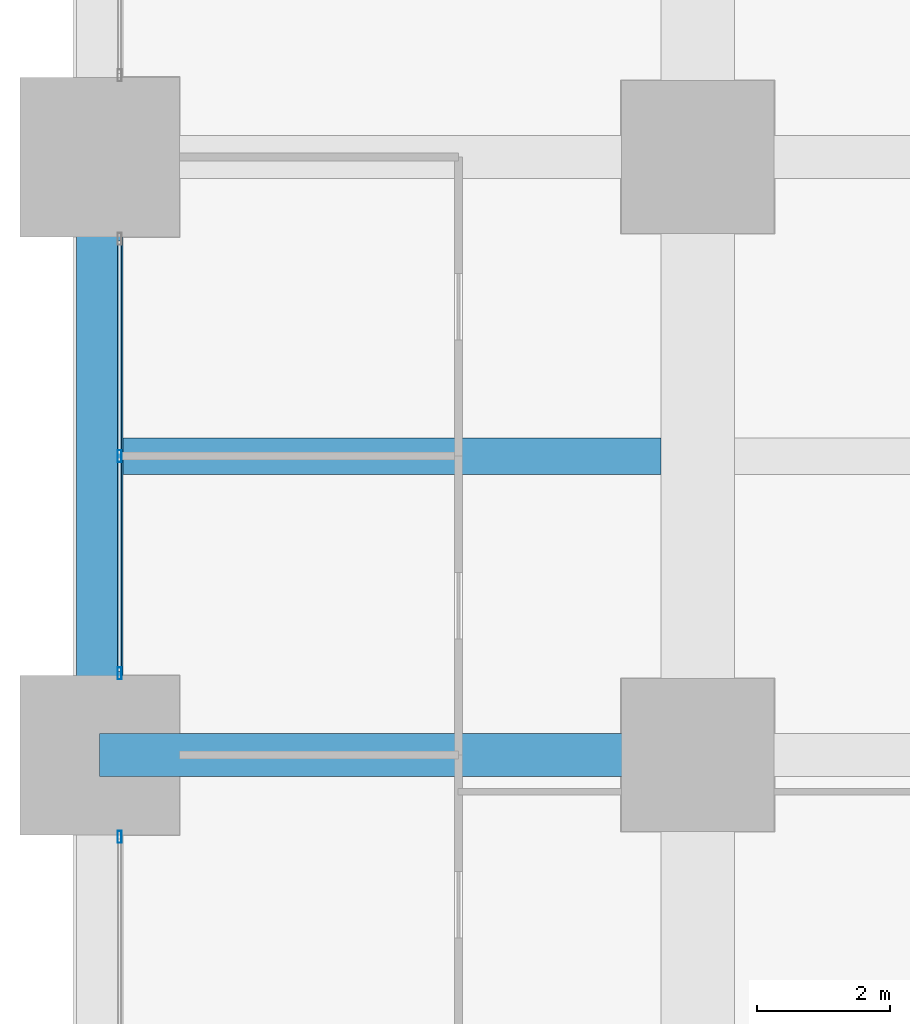
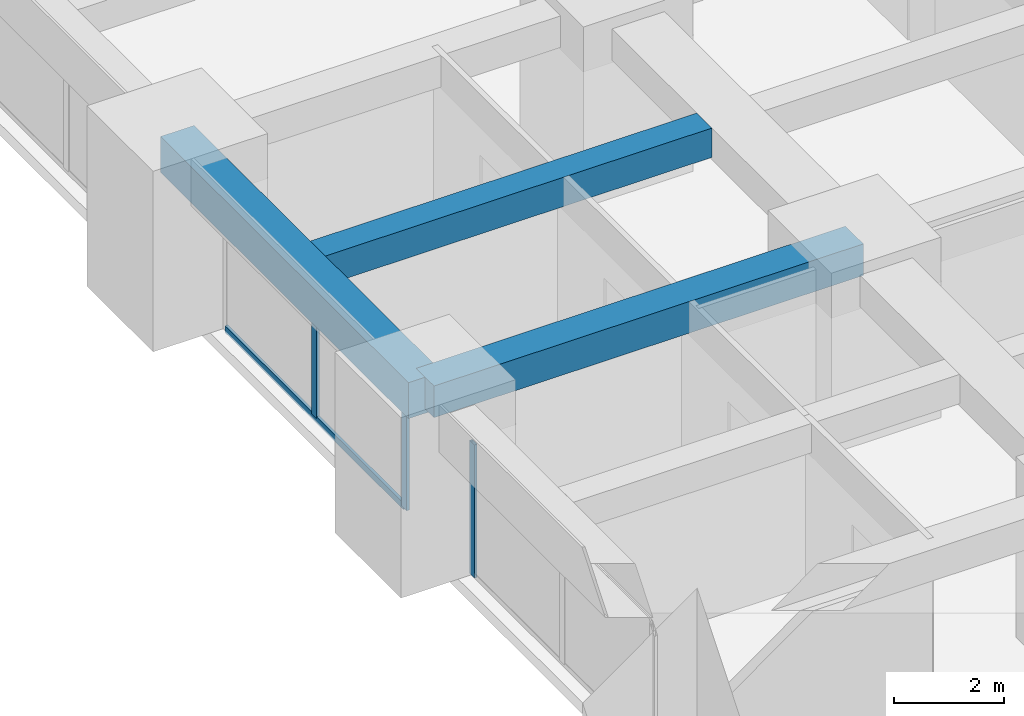
# One storey, part 9 of 44: 4 members, 3 beams, 2 elements without a shape of their own.
"""IFC4 building model written with IfcOpenShell, lengths in metres."""

from ifc_helpers import new_model, si_unit, direction, frame, origin, origin_2d, place, context, subcontext, project, spatial, rectangle, hollow_rectangle, extrude, material, material_profile, profile_set, type_object, element, aggregate, save


model = new_model("IFC4")

# Units and contexts
model_context = context("Model", 3, precision=1e-05, world=origin(), true_north=direction((0.0, 1.0)))
body_context = subcontext(model_context, "Body", "Model", "MODEL_VIEW")
ifc_project = project(units=[si_unit("LENGTHUNIT", "METRE"), si_unit("AREAUNIT", "SQUARE_METRE"), si_unit("VOLUMEUNIT", "CUBIC_METRE"), si_unit("PLANEANGLEUNIT", "RADIAN"), si_unit("MASSUNIT", "GRAM", prefix="KILO")], contexts=[model_context])

# Site, building, storey
site_placement = place(None, origin())
site = spatial("IfcSite", under=ifc_project, at=site_placement, CompositionType="ELEMENT")
building_placement = place(site_placement, origin())
building = spatial("IfcBuilding", under=site, at=building_placement, Name="Zorevar Civic Tower", CompositionType="ELEMENT")
storey_placement = place(building_placement, frame((0.0, 0.0, 31.800048828125)))
storey = spatial("IfcBuildingStorey", under=building, at=storey_placement, Name="L07", CompositionType="ELEMENT", Elevation=31.800048828125)

# Beams
ifc_material_1 = material(Name="Concrete C50/60", Category="concrete")
ifc_material_profile_1 = material_profile(ifc_material_1, rectangle(XDim=0.550048828125, YDim=0.64990234375, at=origin_2d()), Name="RC 550x650")
ifc_profile_set_1 = profile_set([ifc_material_profile_1], Name="Concrete C50/60")
beam_type_1 = type_object("IfcBeamType", Name="Beam RC 550x650", PredefinedType="BEAM", material=ifc_profile_set_1)
beam_1_placement = place(storey_placement, frame((0.35009765625, 22.5, 3.425048828125), z_axis=(1.0, 0.0, 0.0), x_axis=(0.0, 1.0, 0.0)))
element("IfcBeam", 1, at=beam_1_placement, inside=storey, type_object=beam_type_1, Name="Secondary beam L08", PredefinedType="BEAM", context=body_context, shape_type="SweptSolid", body=[
    extrude(rectangle(XDim=0.550048828125, YDim=0.64990234375, at=origin_2d()), origin(), (0.0, 0.0, 1.0), 8.099853515625),
])
ifc_material_2 = material(Name="Concrete C50/60", Category="concrete")
ifc_material_profile_2 = material_profile(ifc_material_2, rectangle(XDim=0.64990234375, YDim=0.699951171875, at=origin_2d()), Name="RC 650x700")
ifc_profile_set_2 = profile_set([ifc_material_profile_2], Name="Concrete C50/60")
beam_type_2 = type_object("IfcBeamType", Name="Beam RC 650x700", PredefinedType="BEAM", material=ifc_profile_set_2)
beam_2_placement = place(storey_placement, frame((0.0, 18.0, 3.39990234375), z_axis=(1.0, 0.0, 0.0), x_axis=(0.0, 1.0, 0.0)))
element("IfcBeam", 2, at=beam_2_placement, inside=storey, type_object=beam_type_2, Name="Girder L08", PredefinedType="BEAM", context=body_context, shape_type="SweptSolid", body=[
    extrude(rectangle(XDim=0.64990234375, YDim=0.699951171875, at=origin_2d()), origin(), (0.0, 0.0, 1.0), 9.0),
])

# Curtain wall, member
ifc_material_3 = material(Name="Dark grey solar-control glass in black aluminium frame", Category="aluminium")
curtain_wall_type = type_object("IfcCurtainWallType", Name="Curtain wall CW2 low zone", PredefinedType="NOTDEFINED", material=ifc_material_3)
curtain_wall_1_placement = place(storey_placement, origin())
curtain_wall_1 = element("IfcCurtainWall", 3, at=curtain_wall_1_placement, inside=storey, type_object=curtain_wall_type, Name="CW2 L07", PredefinedType="NOTDEFINED")
ifc_material_4 = material(Name="Aluminium, black anodised", Category="aluminium")
ifc_material_profile_3 = material_profile(ifc_material_4, hollow_rectangle(XDim=0.06005859375, YDim=0.179931640625, WallThickness=0.00390625, at=origin_2d()), Name="AL 180x60x4")
ifc_profile_set_3 = profile_set([ifc_material_profile_3], Name="Aluminium, black anodised")
member_type_1 = type_object("IfcMemberType", Name="CW2 mullion AL 180x60x4", PredefinedType="MULLION", material=ifc_profile_set_3)
member_1_placement = place(storey_placement, frame((0.300048828125, 16.77001953125, 0.0), z_axis=(0.0, 0.0, 1.0), x_axis=(-1.0, 0.0, 0.0)))
member_1 = element("IfcMember", 4, at=member_1_placement, type_object=member_type_1, Name="CW2 mullion 3", PredefinedType="MULLION", context=body_context, shape_type="SweptSolid", body=[
    extrude(hollow_rectangle(XDim=0.06005859375, YDim=0.179931640625, WallThickness=0.00390625, at=origin_2d()), origin(), (0.0, 0.0, 1.0), 2.949951171875),
])
aggregate(curtain_wall_1, [member_1])

# Curtain wall, members
curtain_wall_2_placement = place(storey_placement, origin())
curtain_wall_2 = element("IfcCurtainWall", 5, at=curtain_wall_2_placement, inside=storey, type_object=curtain_wall_type, Name="CW2 L07", PredefinedType="NOTDEFINED")
member_2_placement = place(storey_placement, frame((0.300048828125, 19.22998046875, 0.0), z_axis=(0.0, 0.0, 1.0), x_axis=(-1.0, 0.0, 0.0)))
member_2 = element("IfcMember", 6, at=member_2_placement, type_object=member_type_1, Name="CW2 mullion 1", PredefinedType="MULLION", context=body_context, shape_type="SweptSolid", body=[
    extrude(hollow_rectangle(XDim=0.06005859375, YDim=0.179931640625, WallThickness=0.00390625, at=origin_2d()), origin(), (0.0, 0.0, 1.0), 2.949951171875),
])
member_3_placement = place(storey_placement, frame((0.300048828125, 22.5, 0.06005859375), z_axis=(0.0, 0.0, 1.0), x_axis=(-1.0, 0.0, 0.0)))
member_3 = element("IfcMember", 7, at=member_3_placement, type_object=member_type_1, Name="CW2 mullion 2", PredefinedType="MULLION", context=body_context, shape_type="SweptSolid", body=[
    extrude(hollow_rectangle(XDim=0.06005859375, YDim=0.179931640625, WallThickness=0.00390625, at=origin_2d()), origin(), (0.0, 0.0, 1.0), 2.889892578125),
])
ifc_material_5 = material(Name="Aluminium, black anodised", Category="aluminium")
ifc_material_profile_4 = material_profile(ifc_material_5, hollow_rectangle(XDim=0.06005859375, YDim=0.14990234375, WallThickness=0.00390625, at=origin_2d()), Name="AL 150x60x4")
ifc_profile_set_4 = profile_set([ifc_material_profile_4], Name="Aluminium, black anodised")
member_type_2 = type_object("IfcMemberType", Name="CW2 transom AL 150x60x4", PredefinedType="USERDEFINED", material=ifc_profile_set_4)
member_4_placement = place(storey_placement, frame((0.300048828125, 19.260009765625, 0.030029296875), z_axis=(0.0, 1.0, 0.0), x_axis=(-1.0, 0.0, 0.0)))
member_4 = element("IfcMember", 8, at=member_4_placement, type_object=member_type_2, Name="CW2 sill transom", ObjectType="TRANSOM", PredefinedType="USERDEFINED", context=body_context, shape_type="SweptSolid", body=[
    extrude(hollow_rectangle(XDim=0.06005859375, YDim=0.14990234375, WallThickness=0.00390625, at=origin_2d()), origin(), (0.0, 0.0, 1.0), 6.47998046875),
])
aggregate(curtain_wall_2, [member_2, member_3, member_4])

# Beam
ifc_material_6 = material(Name="Concrete C50/60", Category="concrete")
ifc_material_profile_5 = material_profile(ifc_material_6, rectangle(XDim=0.699951171875, YDim=0.800048828125, at=origin_2d()), Name="RC 700x800")
ifc_profile_set_5 = profile_set([ifc_material_profile_5], Name="Concrete C50/60")
beam_type_3 = type_object("IfcBeamType", Name="Edge beam RC 700x800", PredefinedType="SPANDREL", material=ifc_profile_set_5)
beam_3_placement = place(storey_placement, frame((0.0, 18.0, 3.349853515625), z_axis=(0.0, 1.0, 0.0), x_axis=(-1.0, 0.0, 0.0)))
element("IfcBeam", 9, at=beam_3_placement, inside=storey, type_object=beam_type_3, Name="Edge beam L08", PredefinedType="SPANDREL", context=body_context, shape_type="SweptSolid", body=[
    extrude(rectangle(XDim=0.699951171875, YDim=0.800048828125, at=origin_2d()), origin(), (0.0, 0.0, 1.0), 9.0),
])

save(model, "model.ifc")
